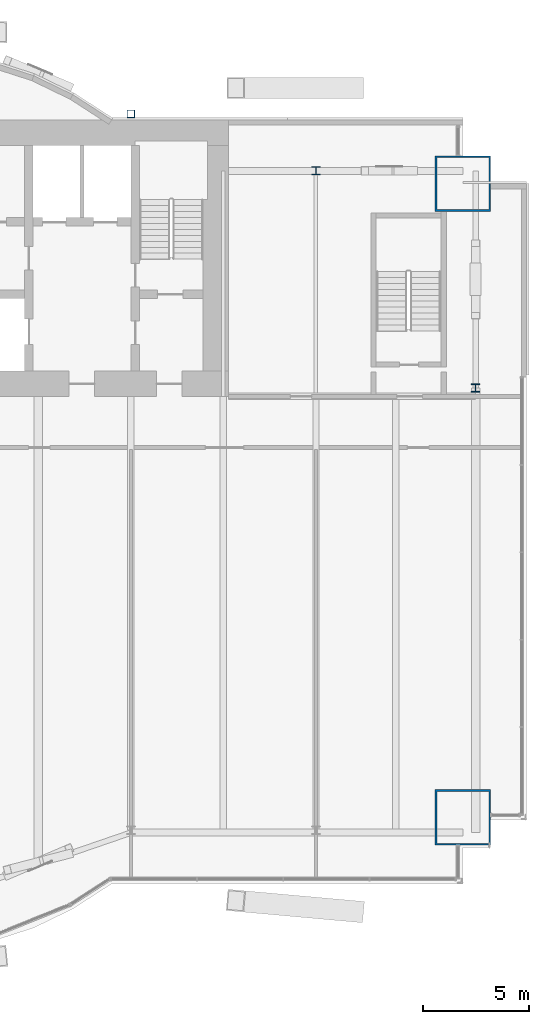
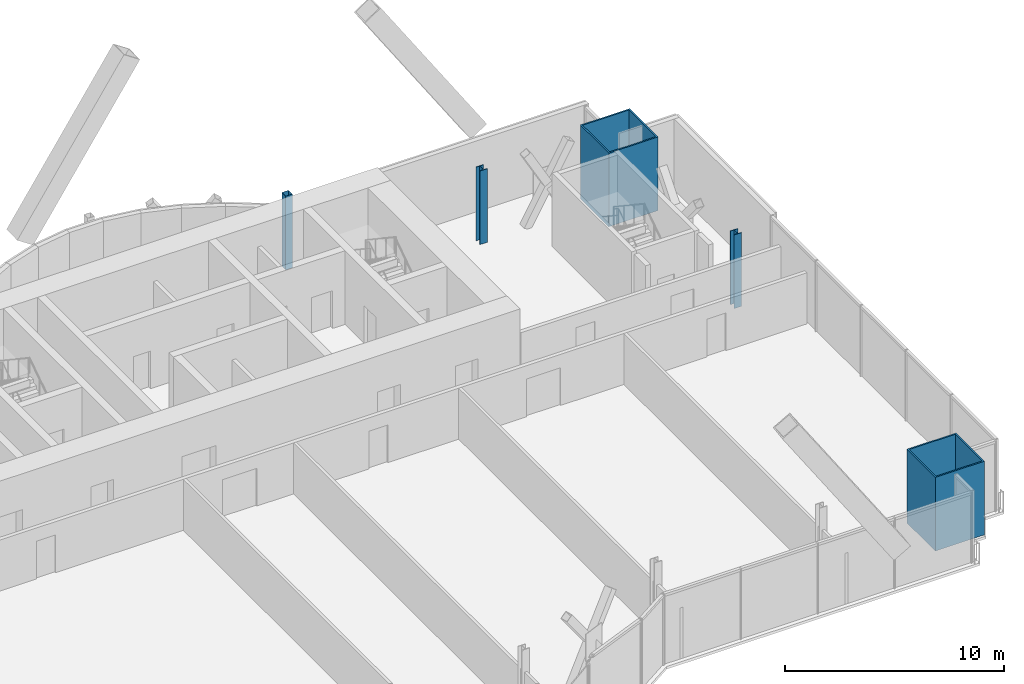
# One storey, part 4 of 22: 5 columns.
"""IFC4 building model written with IfcOpenShell, lengths in metres."""

from ifc_helpers import new_model, si_unit, direction, frame, origin, origin_2d, place, context, subcontext, project, spatial, hollow_rectangle, i_section, extrude, material, material_profile, profile_set, type_object, element, save


model = new_model("IFC4")

# Units and contexts
model_context = context("Model", 3, precision=1e-05, world=origin(), true_north=direction((0.0, 1.0)))
body_context = subcontext(model_context, "Body", "Model", "MODEL_VIEW")
ifc_project = project(units=[si_unit("LENGTHUNIT", "METRE"), si_unit("AREAUNIT", "SQUARE_METRE"), si_unit("VOLUMEUNIT", "CUBIC_METRE"), si_unit("PLANEANGLEUNIT", "RADIAN"), si_unit("MASSUNIT", "GRAM", prefix="KILO")], contexts=[model_context])

# Site, building, storey
site_placement = place(None, origin())
site = spatial("IfcSite", under=ifc_project, at=site_placement, CompositionType="ELEMENT")
building_placement = place(site_placement, origin())
building = spatial("IfcBuilding", under=site, at=building_placement, Name="Bicima Exchange Tower", CompositionType="ELEMENT")
storey_placement = place(building_placement, frame((0.0, 0.0, 144.5)))
storey = spatial("IfcBuildingStorey", under=building, at=storey_placement, Name="L31", CompositionType="ELEMENT", Elevation=144.5)

# Columns
ifc_material_1 = material(Name="Steel ASTM A572 Gr 50", Category="steel")
ifc_material_profile_1 = material_profile(ifc_material_1, hollow_rectangle(XDim=2.60009765625, YDim=2.60009765625, WallThickness=0.080078125, at=origin_2d()))
ifc_profile_set_1 = profile_set([ifc_material_profile_1], Name="Steel ASTM A572 Gr 50")
column_type_1 = type_object("IfcColumnType", Name="Mega column BOX 2600x2600x80", PredefinedType="COLUMN", material=ifc_profile_set_1)
for number, where, z_axis, x_axis, name in (
    (1, (33.0, -32.778076171875, 0.0), (0.0, 0.0, 1.0), (1.0, 0.0, 0.0), "Mega column mega+33.0f"),
    (2, (33.0, -3.0, 0.0), (0.0, 0.0, 1.0), (1.0, 0.0, 0.0), "Mega column mega+33.0r"),
):
    element("IfcColumn", number, at=place(storey_placement, frame(where, z_axis=z_axis, x_axis=x_axis)), inside=storey, type_object=column_type_1, Name=name, PredefinedType="COLUMN", context=body_context, shape_type="SweptSolid", body=[
        extrude(hollow_rectangle(XDim=2.60009765625, YDim=2.60009765625, WallThickness=0.080078125, at=origin_2d()), origin(), (0.0, 0.0, 1.0), 4.10009765625),
    ])
ifc_material_2 = material(Name="Steel ASTM A992 Gr 50", Category="steel")
ifc_material_profile_2 = material_profile(ifc_material_2, i_section(OverallWidth=0.396240234375, OverallDepth=0.381103515625, WebThickness=0.01904296875, FlangeThickness=0.0302734375, at=origin_2d()))
ifc_profile_set_2 = profile_set([ifc_material_profile_2], Name="Steel ASTM A992 Gr 50")
column_type_2 = type_object("IfcColumnType", Name="Perimeter column W14x159", PredefinedType="COLUMN", material=ifc_profile_set_2)
for number, where, z_axis, x_axis, name in (
    (3, (26.10009765625, -2.39990234375, 0.0), (0.0, 0.0, 1.0), (1.0, 0.0, 0.0), "Perimeter column grav+26.1r"),
    (4, (33.60009765625, -12.60009765625, 0.0), (0.0, 0.0, 1.0), (1.0, 0.0, 0.0), "End column end+33.6e"),
):
    element("IfcColumn", number, at=place(storey_placement, frame(where, z_axis=z_axis, x_axis=x_axis)), inside=storey, type_object=column_type_2, Name=name, PredefinedType="COLUMN", context=body_context, shape_type="SweptSolid", body=[
        extrude(i_section(OverallWidth=0.396240234375, OverallDepth=0.381103515625, WebThickness=0.01904296875, FlangeThickness=0.0302734375, at=origin_2d()), origin(), (0.0, 0.0, 1.0), 4.10009765625),
    ])
ifc_material_profile_3 = material_profile(ifc_material_1, hollow_rectangle(XDim=0.355712890625, YDim=0.355712890625, WallThickness=0.01171875, at=origin_2d()))
ifc_profile_set_3 = profile_set([ifc_material_profile_3], Name="Steel ASTM A572 Gr 50")
column_type_3 = type_object("IfcColumnType", Name="Rear pilaster HSS14x14x1/2", PredefinedType="COLUMN", material=ifc_profile_set_3)
column_placement = place(storey_placement, frame((17.39990234375, 0.278076171875, 0.0), z_axis=(0.0, 0.0, 1.0), x_axis=(1.0, 0.0, 0.0)))
element("IfcColumn", 5, at=column_placement, inside=storey, type_object=column_type_3, Name="Rear pilaster rexo+17.4r", PredefinedType="COLUMN", context=body_context, shape_type="SweptSolid", body=[
    extrude(hollow_rectangle(XDim=0.355712890625, YDim=0.355712890625, WallThickness=0.01171875, at=origin_2d()), origin(), (0.0, 0.0, 1.0), 4.10009765625),
])

save(model, "model.ifc")
